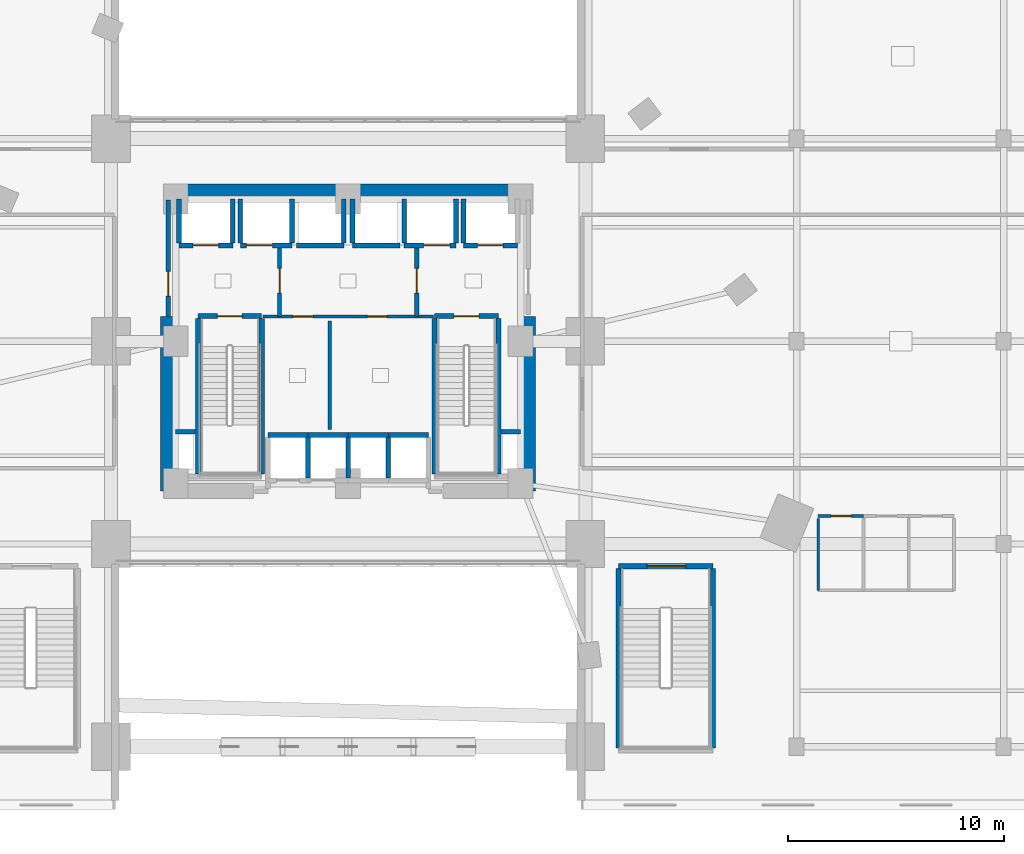
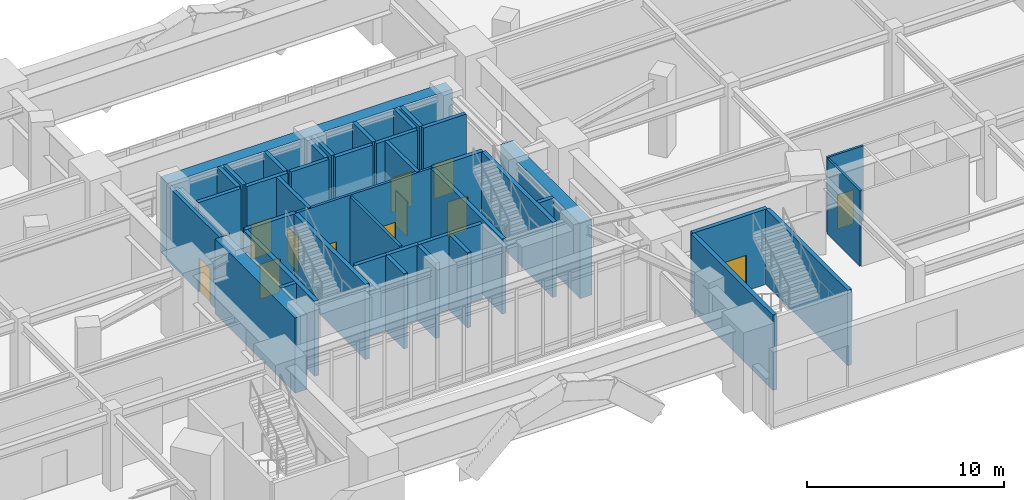
# One storey, part 20 of 25: 43 walls, 13 doors, 13 openings.
"""IFC4 building model written with IfcOpenShell, lengths in metres."""

from ifc_helpers import new_model, si_unit, direction, frame, frame_2d, origin, place, context, subcontext, project, spatial, rectangle, extrude, material, layer, layer_set, type_object, element, fill, save


model = new_model("IFC4")

# Units and contexts
model_context = context("Model", 3, precision=1e-05, world=origin(), true_north=direction((0.0, 1.0)))
body_context = subcontext(model_context, "Body", "Model", "MODEL_VIEW")
ifc_project = project(units=[si_unit("LENGTHUNIT", "METRE"), si_unit("AREAUNIT", "SQUARE_METRE"), si_unit("VOLUMEUNIT", "CUBIC_METRE"), si_unit("PLANEANGLEUNIT", "RADIAN"), si_unit("MASSUNIT", "GRAM", prefix="KILO")], contexts=[model_context])

# Site, building, storey
site_placement = place(None, origin())
site = spatial("IfcSite", under=ifc_project, at=site_placement, CompositionType="ELEMENT")
building_placement = place(site_placement, origin())
building = spatial("IfcBuilding", under=site, at=building_placement, Name="Ndelora Gate Hotel", CompositionType="ELEMENT")
storey_placement = place(building_placement, frame((0.0, 0.0, 11.0)))
storey = spatial("IfcBuildingStorey", under=building, at=storey_placement, Name="L02", CompositionType="ELEMENT", Elevation=11.0)

# Walls
ifc_material_1 = material(Name="Concrete C60/75", Category="concrete")
ifc_layer_1 = layer(ifc_material_1, 0.699951171875)
ifc_layer_set_1 = layer_set([ifc_layer_1], Name="Concrete C60/75")
wall_type_1 = type_object("IfcWallType", Name="WL-CORE-700", PredefinedType="SHEAR", material=ifc_layer_set_1)
wall_1_placement = place(storey_placement, frame((-8.35009765625, 6.949951171875, 0.0), z_axis=(0.0, 0.0, 1.0), x_axis=(1.0, 0.0, 0.0)))
element("IfcWall", 1, at=wall_1_placement, inside=storey, type_object=wall_type_1, Name="L02 Core Shear Wall N", PredefinedType="SHEAR", context=body_context, shape_type="SweptSolid", body=[
    extrude(rectangle(XDim=16.7001953125, YDim=0.699951171875, at=frame_2d((8.35009765625, 0.0))), origin(), (0.0, 0.0, 1.0), 4.659912109375),
])
for number, where, z_axis, x_axis, name in (
    (2, (-8.35009765625, -6.949951171875, 0.0), (0.0, 0.0, 1.0), (0.0, 1.0, 0.0), "L02 Core Shear Wall W"),
    (3, (8.35009765625, -6.949951171875, 0.0), (0.0, 0.0, 1.0), (0.0, 1.0, 0.0), "L02 Core Shear Wall E"),
):
    element("IfcWall", number, at=place(storey_placement, frame(where, z_axis=z_axis, x_axis=x_axis)), inside=storey, type_object=wall_type_1, Name=name, PredefinedType="SHEAR", context=body_context, shape_type="SweptSolid", body=[
        extrude(rectangle(XDim=8.099853515625, YDim=0.699951171875, at=frame_2d((4.0498046875, 0.0))), origin(), (0.0, 0.0, 1.0), 4.659912109375),
    ])

# Wall, opening, door
ifc_material_2 = material(Name="Concrete C40/50", Category="concrete")
ifc_layer_2 = layer(ifc_material_2, 0.199951171875)
ifc_layer_set_2 = layer_set([ifc_layer_2], Name="Concrete C40/50")
wall_type_2 = type_object("IfcWallType", Name="WL-FIRE-200", PredefinedType="PARTITIONING", material=ifc_layer_set_2)
wall_2_placement = place(storey_placement, frame((-3.179931640625, 1.14990234375, 0.0), z_axis=(0.0, 0.0, 1.0), x_axis=(0.0, 1.0, 0.0)))
wall_2 = element("IfcWall", 4, at=wall_2_placement, inside=storey, type_object=wall_type_2, Name="L02 Interior Wall IW-2", PredefinedType="PARTITIONING", context=body_context, shape_type="SweptSolid", body=[
    extrude(rectangle(XDim=3.300048828125, YDim=0.199951171875, at=frame_2d((1.64990234375, 0.0))), origin(), (0.0, 0.0, 1.0), 4.659912109375),
])
opening_1_placement = place(wall_2_placement, frame((1.080078125, 0.0, 0.0)))
opening_1 = element("IfcOpeningElement", 5, at=opening_1_placement, cuts=wall_2, Name="Opening FD1", PredefinedType="OPENING", context=body_context, shape_type="SweptSolid", body=[
    extrude(rectangle(XDim=1.14990234375, YDim=2.14990234375, at=frame_2d((0.574951171875, 1.074951171875))), frame((0.0, 0.10986328125, 0.0), z_axis=(0.0, -1.0, 0.0), x_axis=(1.0, 0.0, 0.0)), (0.0, 0.0, 1.0), 0.219970703125),
])
ifc_material_3 = material(Name="Fire-Rated Timber-Veneer Steel Core", Category="steel")
door_type_1 = type_object("IfcDoorType", Name="DR-FD60", OperationType="SINGLE_SWING_LEFT", PredefinedType="DOOR", material=ifc_material_3)
door_1_placement = place(opening_1_placement, origin())
door_1 = element("IfcDoor", 6, at=door_1_placement, inside=storey, type_object=door_type_1, Name="L02 Firefighting Lobby West Door", OperationType="SINGLE_SWING_RIGHT", OverallHeight=2.14990234375, OverallWidth=1.14990234375, PredefinedType="DOOR", context=body_context, shape_type="SweptSolid", body=[
    extrude(rectangle(XDim=1.14990234375, YDim=2.14990234375, at=frame_2d((0.574951171875, 1.074951171875))), frame((0.0, 0.02490234375, 0.0), z_axis=(0.0, -1.0, 0.0), x_axis=(1.0, 0.0, 0.0)), (0.0, 0.0, 1.0), 0.050048828125),
])
fill(opening_1, door_1)

wall_3_placement = place(storey_placement, frame((3.179931640625, 1.14990234375, 0.0), z_axis=(0.0, 0.0, 1.0), x_axis=(0.0, 1.0, 0.0)))
wall_3 = element("IfcWall", 7, at=wall_3_placement, inside=storey, type_object=wall_type_2, Name="L02 Interior Wall IW-2", PredefinedType="PARTITIONING", context=body_context, shape_type="SweptSolid", body=[
    extrude(rectangle(XDim=3.300048828125, YDim=0.199951171875, at=frame_2d((1.64990234375, 0.0))), origin(), (0.0, 0.0, 1.0), 4.659912109375),
])
opening_2_placement = place(wall_3_placement, frame((1.080078125, 0.0, 0.0)))
opening_2 = element("IfcOpeningElement", 8, at=opening_2_placement, cuts=wall_3, Name="Opening FD1", PredefinedType="OPENING", context=body_context, shape_type="SweptSolid", body=[
    extrude(rectangle(XDim=1.14990234375, YDim=2.14990234375, at=frame_2d((0.574951171875, 1.074951171875))), frame((0.0, 0.10986328125, 0.0), z_axis=(0.0, -1.0, 0.0), x_axis=(1.0, 0.0, 0.0)), (0.0, 0.0, 1.0), 0.219970703125),
])
door_2_placement = place(opening_2_placement, origin())
door_2 = element("IfcDoor", 9, at=door_2_placement, inside=storey, type_object=door_type_1, Name="L02 Firefighting Lobby East Door", OperationType="SINGLE_SWING_LEFT", OverallHeight=2.14990234375, OverallWidth=1.14990234375, PredefinedType="DOOR", context=body_context, shape_type="SweptSolid", body=[
    extrude(rectangle(XDim=1.14990234375, YDim=2.14990234375, at=frame_2d((0.574951171875, 1.074951171875))), frame((0.0, 0.02490234375, 0.0), z_axis=(0.0, -1.0, 0.0), x_axis=(1.0, 0.0, 0.0)), (0.0, 0.0, 1.0), 0.050048828125),
])
fill(opening_2, door_2)

wall_4_placement = place(storey_placement, frame((-8.35009765625, 1.14990234375, 0.0), z_axis=(0.0, 0.0, 1.0), x_axis=(0.0, 1.0, 0.0)))
wall_4 = element("IfcWall", 10, at=wall_4_placement, inside=storey, type_object=wall_type_2, Name="L02 Interior Wall IW-2", PredefinedType="PARTITIONING", context=body_context, shape_type="SweptSolid", body=[
    extrude(rectangle(XDim=5.400146484375, YDim=0.199951171875, at=frame_2d((2.7001953125, 0.0))), origin(), (0.0, 0.0, 1.0), 4.659912109375),
])
opening_3_placement = place(wall_4_placement, frame((0.949951171875, 0.0, 0.0)))
opening_3 = element("IfcOpeningElement", 11, at=opening_3_placement, cuts=wall_4, Name="Opening FD1", PredefinedType="OPENING", context=body_context, shape_type="SweptSolid", body=[
    extrude(rectangle(XDim=1.14990234375, YDim=2.14990234375, at=frame_2d((0.574951171875, 1.074951171875))), frame((0.0, 0.10986328125, 0.0), z_axis=(0.0, -1.0, 0.0), x_axis=(1.0, 0.0, 0.0)), (0.0, 0.0, 1.0), 0.219970703125),
])
door_3_placement = place(opening_3_placement, origin())
door_3 = element("IfcDoor", 12, at=door_3_placement, inside=storey, type_object=door_type_1, Name="L02 Firefighting Lobby West Corridor Door", OperationType="SINGLE_SWING_LEFT", OverallHeight=2.14990234375, OverallWidth=1.14990234375, PredefinedType="DOOR", context=body_context, shape_type="SweptSolid", body=[
    extrude(rectangle(XDim=1.14990234375, YDim=2.14990234375, at=frame_2d((0.574951171875, 1.074951171875))), frame((0.0, 0.02490234375, 0.0), z_axis=(0.0, -1.0, 0.0), x_axis=(1.0, 0.0, 0.0)), (0.0, 0.0, 1.0), 0.050048828125),
])
fill(opening_3, door_3)

# Wall, openings, doors
ifc_material_4 = material(Name="Fire-Rated Gypsum Stud Partition", Category="gypsum")
ifc_layer_3 = layer(ifc_material_4, 0.14990234375)
ifc_layer_set_3 = layer_set([ifc_layer_3], Name="Fire-Rated Gypsum Stud Partition")
wall_type_3 = type_object("IfcWallType", Name="WL-PART-150", PredefinedType="PARTITIONING", material=ifc_layer_set_3)
wall_5_placement = place(storey_placement, frame((3.949951171875, 1.14990234375, 0.0), z_axis=(0.0, 0.0, 1.0), x_axis=(-1.0, 0.0, 0.0)))
wall_5 = element("IfcWall", 13, at=wall_5_placement, inside=storey, type_object=wall_type_3, Name="L02 Interior Wall IW-5", PredefinedType="PARTITIONING", context=body_context, shape_type="SweptSolid", body=[
    extrude(rectangle(XDim=7.89990234375, YDim=0.14990234375, at=frame_2d((3.949951171875, 0.0))), origin(), (0.0, 0.0, 1.0), 4.659912109375),
])
opening_4_placement = place(wall_5_placement, frame((5.590087890625, 0.0, 0.0)))
opening_4 = element("IfcOpeningElement", 14, at=opening_4_placement, cuts=wall_5, Name="Opening D04", PredefinedType="OPENING", context=body_context, shape_type="SweptSolid", body=[
    extrude(rectangle(XDim=0.919921875, YDim=2.050048828125, at=frame_2d((0.4599609375, 1.02490234375))), frame((0.0, 0.0849609375, 0.0), z_axis=(0.0, -1.0, 0.0), x_axis=(1.0, 0.0, 0.0)), (0.0, 0.0, 1.0), 0.169921875),
])
opening_5_placement = place(wall_5_placement, frame((2.139892578125, 0.0, 0.0)))
opening_5 = element("IfcOpeningElement", 15, at=opening_5_placement, cuts=wall_5, Name="Opening D04", PredefinedType="OPENING", context=body_context, shape_type="SweptSolid", body=[
    extrude(rectangle(XDim=0.919921875, YDim=2.050048828125, at=frame_2d((0.4599609375, 1.02490234375))), frame((0.0, 0.0849609375, 0.0), z_axis=(0.0, -1.0, 0.0), x_axis=(1.0, 0.0, 0.0)), (0.0, 0.0, 1.0), 0.169921875),
])
ifc_material_5 = material(Name="Painted Steel Core Service Door", Category="steel")
door_type_2 = type_object("IfcDoorType", Name="DR-SER-920", OperationType="SINGLE_SWING_LEFT", PredefinedType="DOOR", material=ifc_material_5)
door_4_placement = place(opening_4_placement, origin())
door_4 = element("IfcDoor", 16, at=door_4_placement, inside=storey, type_object=door_type_2, Name="L02 Core Electrical Switchroom Door", OperationType="SINGLE_SWING_LEFT", OverallHeight=2.050048828125, OverallWidth=0.919921875, PredefinedType="DOOR", context=body_context, shape_type="SweptSolid", body=[
    extrude(rectangle(XDim=0.919921875, YDim=2.050048828125, at=frame_2d((0.4599609375, 1.02490234375))), frame((0.0, 0.02490234375, 0.0), z_axis=(0.0, -1.0, 0.0), x_axis=(1.0, 0.0, 0.0)), (0.0, 0.0, 1.0), 0.050048828125),
])
fill(opening_4, door_4)
door_5_placement = place(opening_5_placement, origin())
door_5 = element("IfcDoor", 17, at=door_5_placement, inside=storey, type_object=door_type_2, Name="L02 Central Linen Equipment Store Door", OperationType="SINGLE_SWING_RIGHT", OverallHeight=2.050048828125, OverallWidth=0.919921875, PredefinedType="DOOR", context=body_context, shape_type="SweptSolid", body=[
    extrude(rectangle(XDim=0.919921875, YDim=2.050048828125, at=frame_2d((0.4599609375, 1.02490234375))), frame((0.0, 0.02490234375, 0.0), z_axis=(0.0, -1.0, 0.0), x_axis=(1.0, 0.0, 0.0)), (0.0, 0.0, 1.0), 0.050048828125),
])
fill(opening_5, door_5)

# Walls
wall_6_placement = place(storey_placement, frame((-0.85009765625, -4.080078125, 0.0), z_axis=(0.0, 0.0, 1.0), x_axis=(0.0, 1.0, 0.0)))
element("IfcWall", 18, at=wall_6_placement, inside=storey, type_object=wall_type_3, Name="L02 Interior Wall IW-5", PredefinedType="PARTITIONING", context=body_context, shape_type="SweptSolid", body=[
    extrude(rectangle(XDim=5.030029296875, YDim=0.14990234375, at=frame_2d((2.51513671875, 0.0))), origin(), (0.0, 0.0, 1.0), 4.659912109375),
])
ifc_layer_4 = layer(ifc_material_2, 0.219970703125)
ifc_layer_set_4 = layer_set([ifc_layer_4], Name="Concrete C40/50")
wall_type_4 = type_object("IfcWallType", Name="WL-SHAFT-220", PredefinedType="PARTITIONING", material=ifc_layer_set_4)
for number, where, z_axis, x_axis, name in (
    (19, (-8.0, -4.199951171875, 0.0), (0.0, 0.0, 1.0), (1.0, 0.0, 0.0), "L02 Interior Wall IW-1"),
    (20, (7.090087890625, -4.199951171875, 0.0), (0.0, 0.0, 1.0), (1.0, 0.0, 0.0), "L02 Interior Wall IW-1"),
):
    element("IfcWall", number, at=place(storey_placement, frame(where, z_axis=z_axis, x_axis=x_axis)), inside=storey, type_object=wall_type_4, Name=name, PredefinedType="PARTITIONING", context=body_context, shape_type="SweptSolid", body=[
        extrude(rectangle(XDim=0.909912109375, YDim=0.219970703125, at=frame_2d((0.455078125, 0.0))), origin(), (0.0, 0.0, 1.0), 4.659912109375),
    ])

# Wall, opening, door
wall_7_placement = place(storey_placement, frame((-7.85009765625, 4.449951171875, 0.0), z_axis=(0.0, 0.0, 1.0), x_axis=(1.0, 0.0, 0.0)))
wall_7 = element("IfcWall", 21, at=wall_7_placement, inside=storey, type_object=wall_type_4, Name="L02 Interior Wall IW-1", PredefinedType="PARTITIONING", context=body_context, shape_type="SweptSolid", body=[
    extrude(rectangle(XDim=2.5, YDim=0.219970703125, at=frame_2d((1.25, 0.0))), origin(), (0.0, 0.0, 1.0), 4.659912109375),
])
opening_6_placement = place(wall_7_placement, frame((0.659912109375, 0.0, 0.0)))
opening_6 = element("IfcOpeningElement", 22, at=opening_6_placement, cuts=wall_7, Name="Opening LD5", PredefinedType="OPENING", context=body_context, shape_type="SweptSolid", body=[
    extrude(rectangle(XDim=1.179931640625, YDim=2.14990234375, at=frame_2d((0.58984375, 1.074951171875))), frame((0.0, 0.1201171875, 0.0), z_axis=(0.0, -1.0, 0.0), x_axis=(1.0, 0.0, 0.0)), (0.0, 0.0, 1.0), 0.239990234375),
])
ifc_material_6 = material(Name="Firefighting Lift Stainless Sliding Landing Door", Category="metal")
door_type_3 = type_object("IfcDoorType", Name="DR-LD5", OperationType="DOUBLE_DOOR_SLIDING", PredefinedType="DOOR", material=ifc_material_6)
door_6_placement = place(opening_6_placement, origin())
door_6 = element("IfcDoor", 23, at=door_6_placement, inside=storey, type_object=door_type_3, Name="L02 Lift Landing Sliding Door FFL1", OperationType="DOUBLE_DOOR_SLIDING", OverallHeight=2.14990234375, OverallWidth=1.179931640625, PredefinedType="DOOR", context=body_context, shape_type="SweptSolid", body=[
    extrude(rectangle(XDim=1.179931640625, YDim=2.14990234375, at=frame_2d((0.58984375, 1.074951171875))), frame((0.0, 0.02490234375, 0.0), z_axis=(0.0, -1.0, 0.0), x_axis=(1.0, 0.0, 0.0)), (0.0, 0.0, 1.0), 0.050048828125),
])
fill(opening_6, door_6)

# Walls
wall_8_placement = place(storey_placement, frame((-7.85009765625, 4.570068359375, 0.0), z_axis=(0.0, 0.0, 1.0), x_axis=(0.0, 1.0, 0.0)))
element("IfcWall", 24, at=wall_8_placement, inside=storey, type_object=wall_type_4, Name="L02 Interior Wall IW-1", PredefinedType="PARTITIONING", context=body_context, shape_type="SweptSolid", body=[
    extrude(rectangle(XDim=2.030029296875, YDim=0.219970703125, at=frame_2d((1.01513671875, 0.0))), origin(), (0.0, 0.0, 1.0), 4.239990234375),
])
wall_9_placement = place(storey_placement, frame((-5.35009765625, 4.570068359375, 0.0), z_axis=(0.0, 0.0, 1.0), x_axis=(0.0, 1.0, 0.0)))
element("IfcWall", 25, at=wall_9_placement, inside=storey, type_object=wall_type_4, Name="L02 Interior Wall IW-1", PredefinedType="PARTITIONING", context=body_context, shape_type="SweptSolid", body=[
    extrude(rectangle(XDim=2.030029296875, YDim=0.219970703125, at=frame_2d((1.01513671875, 0.0))), origin(), (0.0, 0.0, 1.0), 4.659912109375),
])

# Wall, opening, door
wall_10_placement = place(storey_placement, frame((5.35009765625, 4.449951171875, 0.0), z_axis=(0.0, 0.0, 1.0), x_axis=(1.0, 0.0, 0.0)))
wall_10 = element("IfcWall", 26, at=wall_10_placement, inside=storey, type_object=wall_type_4, Name="L02 Interior Wall IW-1", PredefinedType="PARTITIONING", context=body_context, shape_type="SweptSolid", body=[
    extrude(rectangle(XDim=2.5, YDim=0.219970703125, at=frame_2d((1.25, 0.0))), origin(), (0.0, 0.0, 1.0), 4.659912109375),
])
opening_7_placement = place(wall_10_placement, frame((0.659912109375, 0.0, 0.0)))
opening_7 = element("IfcOpeningElement", 27, at=opening_7_placement, cuts=wall_10, Name="Opening LD5", PredefinedType="OPENING", context=body_context, shape_type="SweptSolid", body=[
    extrude(rectangle(XDim=1.179931640625, YDim=2.14990234375, at=frame_2d((0.58984375, 1.074951171875))), frame((0.0, 0.1201171875, 0.0), z_axis=(0.0, -1.0, 0.0), x_axis=(1.0, 0.0, 0.0)), (0.0, 0.0, 1.0), 0.239990234375),
])
door_7_placement = place(opening_7_placement, origin())
door_7 = element("IfcDoor", 28, at=door_7_placement, inside=storey, type_object=door_type_3, Name="L02 Lift Landing Sliding Door FFL2", OperationType="DOUBLE_DOOR_SLIDING", OverallHeight=2.14990234375, OverallWidth=1.179931640625, PredefinedType="DOOR", context=body_context, shape_type="SweptSolid", body=[
    extrude(rectangle(XDim=1.179931640625, YDim=2.14990234375, at=frame_2d((0.58984375, 1.074951171875))), frame((0.0, 0.02490234375, 0.0), z_axis=(0.0, -1.0, 0.0), x_axis=(1.0, 0.0, 0.0)), (0.0, 0.0, 1.0), 0.050048828125),
])
fill(opening_7, door_7)

# Wall
wall_11_placement = place(storey_placement, frame((5.35009765625, 4.570068359375, 0.0), z_axis=(0.0, 0.0, 1.0), x_axis=(0.0, 1.0, 0.0)))
element("IfcWall", 29, at=wall_11_placement, inside=storey, type_object=wall_type_4, Name="L02 Interior Wall IW-1", PredefinedType="PARTITIONING", context=body_context, shape_type="SweptSolid", body=[
    extrude(rectangle(XDim=2.030029296875, YDim=0.219970703125, at=frame_2d((1.01513671875, 0.0))), origin(), (0.0, 0.0, 1.0), 4.659912109375),
])

# Wall, opening, door
wall_12_placement = place(storey_placement, frame((-5.0, 4.449951171875, 0.0), z_axis=(0.0, 0.0, 1.0), x_axis=(1.0, 0.0, 0.0)))
wall_12 = element("IfcWall", 30, at=wall_12_placement, inside=storey, type_object=wall_type_4, Name="L02 Interior Wall IW-1", PredefinedType="PARTITIONING", context=body_context, shape_type="SweptSolid", body=[
    extrude(rectangle(XDim=2.39990234375, YDim=0.219970703125, at=frame_2d((1.199951171875, 0.0))), origin(), (0.0, 0.0, 1.0), 4.659912109375),
])
opening_8_placement = place(wall_12_placement, frame((0.280029296875, 0.0, 0.0)))
opening_8 = element("IfcOpeningElement", 31, at=opening_8_placement, cuts=wall_12, Name="Opening LD6", PredefinedType="OPENING", context=body_context, shape_type="SweptSolid", body=[
    extrude(rectangle(XDim=1.219970703125, YDim=2.14990234375, at=frame_2d((0.60986328125, 1.074951171875))), frame((0.0, 0.1201171875, 0.0), z_axis=(0.0, -1.0, 0.0), x_axis=(1.0, 0.0, 0.0)), (0.0, 0.0, 1.0), 0.239990234375),
])
ifc_material_7 = material(Name="Heavy-Duty Service Lift Sliding Landing Door", Category="wood")
door_type_4 = type_object("IfcDoorType", Name="DR-LD6", OperationType="DOUBLE_DOOR_SLIDING", PredefinedType="DOOR", material=ifc_material_7)
door_8_placement = place(opening_8_placement, origin())
door_8 = element("IfcDoor", 32, at=door_8_placement, inside=storey, type_object=door_type_4, Name="L02 Lift Landing Sliding Door SVL1", OperationType="DOUBLE_DOOR_SLIDING", OverallHeight=2.14990234375, OverallWidth=1.219970703125, PredefinedType="DOOR", context=body_context, shape_type="SweptSolid", body=[
    extrude(rectangle(XDim=1.219970703125, YDim=2.14990234375, at=frame_2d((0.60986328125, 1.074951171875))), frame((0.0, 0.02490234375, 0.0), z_axis=(0.0, -1.0, 0.0), x_axis=(1.0, 0.0, 0.0)), (0.0, 0.0, 1.0), 0.050048828125),
])
fill(opening_8, door_8)

# Walls
for number, where, z_axis, x_axis, name in (
    (33, (-5.0, 4.570068359375, 0.0), (0.0, 0.0, 1.0), (0.0, 1.0, 0.0), "L02 Interior Wall IW-1"),
    (34, (-2.60009765625, 4.570068359375, 0.0), (0.0, 0.0, 1.0), (0.0, 1.0, 0.0), "L02 Interior Wall IW-1"),
):
    element("IfcWall", number, at=place(storey_placement, frame(where, z_axis=z_axis, x_axis=x_axis)), inside=storey, type_object=wall_type_4, Name=name, PredefinedType="PARTITIONING", context=body_context, shape_type="SweptSolid", body=[
        extrude(rectangle(XDim=2.030029296875, YDim=0.219970703125, at=frame_2d((1.01513671875, 0.0))), origin(), (0.0, 0.0, 1.0), 4.659912109375),
    ])

# Wall, opening, door
wall_13_placement = place(storey_placement, frame((2.60009765625, 4.449951171875, 0.0), z_axis=(0.0, 0.0, 1.0), x_axis=(1.0, 0.0, 0.0)))
wall_13 = element("IfcWall", 35, at=wall_13_placement, inside=storey, type_object=wall_type_4, Name="L02 Interior Wall IW-1", PredefinedType="PARTITIONING", context=body_context, shape_type="SweptSolid", body=[
    extrude(rectangle(XDim=2.39990234375, YDim=0.219970703125, at=frame_2d((1.199951171875, 0.0))), origin(), (0.0, 0.0, 1.0), 4.659912109375),
])
opening_9_placement = place(wall_13_placement, frame((0.89990234375, 0.0, 0.0)))
opening_9 = element("IfcOpeningElement", 36, at=opening_9_placement, cuts=wall_13, Name="Opening LD6", PredefinedType="OPENING", context=body_context, shape_type="SweptSolid", body=[
    extrude(rectangle(XDim=1.219970703125, YDim=2.14990234375, at=frame_2d((0.60986328125, 1.074951171875))), frame((0.0, 0.1201171875, 0.0), z_axis=(0.0, -1.0, 0.0), x_axis=(1.0, 0.0, 0.0)), (0.0, 0.0, 1.0), 0.239990234375),
])
door_9_placement = place(opening_9_placement, origin())
door_9 = element("IfcDoor", 37, at=door_9_placement, inside=storey, type_object=door_type_4, Name="L02 Lift Landing Sliding Door SVL2", OperationType="DOUBLE_DOOR_SLIDING", OverallHeight=2.14990234375, OverallWidth=1.219970703125, PredefinedType="DOOR", context=body_context, shape_type="SweptSolid", body=[
    extrude(rectangle(XDim=1.219970703125, YDim=2.14990234375, at=frame_2d((0.60986328125, 1.074951171875))), frame((0.0, 0.02490234375, 0.0), z_axis=(0.0, -1.0, 0.0), x_axis=(1.0, 0.0, 0.0)), (0.0, 0.0, 1.0), 0.050048828125),
])
fill(opening_9, door_9)

# Walls
for number, where, z_axis, x_axis, name in (
    (38, (2.60009765625, 4.570068359375, 0.0), (0.0, 0.0, 1.0), (0.0, 1.0, 0.0), "L02 Interior Wall IW-1"),
    (39, (5.0, 4.570068359375, 0.0), (0.0, 0.0, 1.0), (0.0, 1.0, 0.0), "L02 Interior Wall IW-1"),
):
    element("IfcWall", number, at=place(storey_placement, frame(where, z_axis=z_axis, x_axis=x_axis)), inside=storey, type_object=wall_type_4, Name=name, PredefinedType="PARTITIONING", context=body_context, shape_type="SweptSolid", body=[
        extrude(rectangle(XDim=2.030029296875, YDim=0.219970703125, at=frame_2d((1.01513671875, 0.0))), origin(), (0.0, 0.0, 1.0), 4.659912109375),
    ])
wall_14_placement = place(storey_placement, frame((-3.719970703125, -4.35009765625, 0.0), z_axis=(0.0, 0.0, 1.0), x_axis=(1.0, 0.0, 0.0)))
element("IfcWall", 40, at=wall_14_placement, inside=storey, type_object=wall_type_4, Name="L02 Interior Wall IW-1", PredefinedType="PARTITIONING", context=body_context, shape_type="SweptSolid", body=[
    extrude(rectangle(XDim=1.85986328125, YDim=0.219970703125, at=frame_2d((0.929931640625, 0.0))), origin(), (0.0, 0.0, 1.0), 4.659912109375),
])
for number, where, z_axis, x_axis, name in (
    (41, (-1.860107421875, -6.330078125, 0.0), (0.0, 0.0, 1.0), (0.0, 1.0, 0.0), "L02 Interior Wall IW-1"),
    (42, (-1.860107421875, -4.35009765625, 0.0), (0.0, 0.0, 1.0), (1.0, 0.0, 0.0), "L02 Interior Wall IW-1"),
    (43, (0.0, -6.330078125, 0.0), (0.0, 0.0, 1.0), (0.0, 1.0, 0.0), "L02 Interior Wall IW-1"),
    (44, (0.0, -4.35009765625, 0.0), (0.0, 0.0, 1.0), (1.0, 0.0, 0.0), "L02 Interior Wall IW-1"),
    (45, (1.860107421875, -6.330078125, 0.0), (0.0, 0.0, 1.0), (0.0, 1.0, 0.0), "L02 Interior Wall IW-1"),
):
    element("IfcWall", number, at=place(storey_placement, frame(where, z_axis=z_axis, x_axis=x_axis)), inside=storey, type_object=wall_type_4, Name=name, PredefinedType="PARTITIONING", context=body_context, shape_type="SweptSolid", body=[
        extrude(rectangle(XDim=1.860107421875, YDim=0.219970703125, at=frame_2d((0.93017578125, 0.0))), origin(), (0.0, 0.0, 1.0), 4.659912109375),
    ])
wall_15_placement = place(storey_placement, frame((1.860107421875, -4.35009765625, 0.0), z_axis=(0.0, 0.0, 1.0), x_axis=(1.0, 0.0, 0.0)))
element("IfcWall", 46, at=wall_15_placement, inside=storey, type_object=wall_type_4, Name="L02 Interior Wall IW-1", PredefinedType="PARTITIONING", context=body_context, shape_type="SweptSolid", body=[
    extrude(rectangle(XDim=1.85986328125, YDim=0.219970703125, at=frame_2d((0.929931640625, 0.0))), origin(), (0.0, 0.0, 1.0), 4.659912109375),
])
wall_16_placement = place(storey_placement, frame((-2.39990234375, 4.449951171875, 0.0), z_axis=(0.0, 0.0, 1.0), x_axis=(1.0, 0.0, 0.0)))
element("IfcWall", 47, at=wall_16_placement, inside=storey, type_object=wall_type_4, Name="L02 Interior Wall IW-1", PredefinedType="PARTITIONING", context=body_context, shape_type="SweptSolid", body=[
    extrude(rectangle(XDim=2.199951171875, YDim=0.219970703125, at=frame_2d((1.10009765625, 0.0))), origin(), (0.0, 0.0, 1.0), 4.659912109375),
])
wall_17_placement = place(storey_placement, frame((-0.199951171875, 4.570068359375, 0.0), z_axis=(0.0, 0.0, 1.0), x_axis=(0.0, 1.0, 0.0)))
element("IfcWall", 48, at=wall_17_placement, inside=storey, type_object=wall_type_4, Name="L02 Interior Wall IW-1", PredefinedType="PARTITIONING", context=body_context, shape_type="SweptSolid", body=[
    extrude(rectangle(XDim=2.030029296875, YDim=0.219970703125, at=frame_2d((1.01513671875, 0.0))), origin(), (0.0, 0.0, 1.0), 4.659912109375),
])
wall_18_placement = place(storey_placement, frame((0.199951171875, 4.449951171875, 0.0), z_axis=(0.0, 0.0, 1.0), x_axis=(1.0, 0.0, 0.0)))
element("IfcWall", 49, at=wall_18_placement, inside=storey, type_object=wall_type_4, Name="L02 Interior Wall IW-1", PredefinedType="PARTITIONING", context=body_context, shape_type="SweptSolid", body=[
    extrude(rectangle(XDim=2.199951171875, YDim=0.219970703125, at=frame_2d((1.10009765625, 0.0))), origin(), (0.0, 0.0, 1.0), 4.659912109375),
])
wall_19_placement = place(storey_placement, frame((0.199951171875, 4.570068359375, 0.0), z_axis=(0.0, 0.0, 1.0), x_axis=(0.0, 1.0, 0.0)))
element("IfcWall", 50, at=wall_19_placement, inside=storey, type_object=wall_type_4, Name="L02 Interior Wall IW-1", PredefinedType="PARTITIONING", context=body_context, shape_type="SweptSolid", body=[
    extrude(rectangle(XDim=2.030029296875, YDim=0.219970703125, at=frame_2d((1.01513671875, 0.0))), origin(), (0.0, 0.0, 1.0), 4.659912109375),
])
ifc_material_8 = material(Name="Concrete C50/60", Category="concrete")
ifc_layer_5 = layer(ifc_material_8, 0.239990234375)
ifc_layer_set_5 = layer_set([ifc_layer_5], Name="Concrete C50/60")
wall_type_5 = type_object("IfcWallType", Name="WL-STAIR-240", PredefinedType="SHEAR", material=ifc_layer_set_5)
for number, where, z_axis, x_axis, name in (
    (51, (-6.969970703125, -6.159912109375, 0.0), (0.0, 0.0, 1.0), (0.0, 1.0, 0.0), "L02 Stair Core Shear Wall SW-ST"),
    (52, (-4.010009765625, -6.159912109375, 0.0), (0.0, 0.0, 1.0), (0.0, 1.0, 0.0), "L02 Stair Core Shear Wall SW-ST"),
):
    element("IfcWall", number, at=place(storey_placement, frame(where, z_axis=z_axis, x_axis=x_axis)), inside=storey, type_object=wall_type_5, Name=name, PredefinedType="SHEAR", context=body_context, shape_type="SweptSolid", body=[
        extrude(rectangle(XDim=7.219970703125, YDim=0.239990234375, at=frame_2d((3.60986328125, 0.0))), origin(), (0.0, 0.0, 1.0), 4.659912109375),
    ])

# Wall, opening, door
wall_20_placement = place(storey_placement, frame((-6.969970703125, 1.169921875, 0.0), z_axis=(0.0, 0.0, 1.0), x_axis=(1.0, 0.0, 0.0)))
wall_20 = element("IfcWall", 53, at=wall_20_placement, inside=storey, type_object=wall_type_5, Name="L02 Stair Core Shear Wall SW-ST", PredefinedType="SHEAR", context=body_context, shape_type="SweptSolid", body=[
    extrude(rectangle(XDim=2.9599609375, YDim=0.239990234375, at=frame_2d((1.47998046875, 0.0))), origin(), (0.0, 0.0, 1.0), 4.659912109375),
])
opening_10_placement = place(wall_20_placement, frame((0.89990234375, 0.0, 0.0)))
opening_10 = element("IfcOpeningElement", 54, at=opening_10_placement, cuts=wall_20, Name="Opening FD1", PredefinedType="OPENING", context=body_context, shape_type="SweptSolid", body=[
    extrude(rectangle(XDim=1.14990234375, YDim=2.14990234375, at=frame_2d((0.574951171875, 1.074951171875))), frame((0.0, 0.1298828125, 0.0), z_axis=(0.0, -1.0, 0.0), x_axis=(1.0, 0.0, 0.0)), (0.0, 0.0, 1.0), 0.260009765625),
])
door_10_placement = place(opening_10_placement, origin())
door_10 = element("IfcDoor", 55, at=door_10_placement, inside=storey, type_object=door_type_1, Name="L02 Exit Stair ST4 Door", OperationType="SINGLE_SWING_LEFT", OverallHeight=2.14990234375, OverallWidth=1.14990234375, PredefinedType="DOOR", context=body_context, shape_type="SweptSolid", body=[
    extrude(rectangle(XDim=1.14990234375, YDim=2.14990234375, at=frame_2d((0.574951171875, 1.074951171875))), frame((0.0, 0.02490234375, 0.0), z_axis=(0.0, -1.0, 0.0), x_axis=(1.0, 0.0, 0.0)), (0.0, 0.0, 1.0), 0.050048828125),
])
fill(opening_10, door_10)

# Walls
for number, where, z_axis, x_axis, name in (
    (56, (4.010009765625, -6.159912109375, 0.0), (0.0, 0.0, 1.0), (0.0, 1.0, 0.0), "L02 Stair Core Shear Wall SW-ST"),
    (57, (6.969970703125, -6.159912109375, 0.0), (0.0, 0.0, 1.0), (0.0, 1.0, 0.0), "L02 Stair Core Shear Wall SW-ST"),
):
    element("IfcWall", number, at=place(storey_placement, frame(where, z_axis=z_axis, x_axis=x_axis)), inside=storey, type_object=wall_type_5, Name=name, PredefinedType="SHEAR", context=body_context, shape_type="SweptSolid", body=[
        extrude(rectangle(XDim=7.219970703125, YDim=0.239990234375, at=frame_2d((3.60986328125, 0.0))), origin(), (0.0, 0.0, 1.0), 4.659912109375),
    ])

# Wall, opening, door
wall_21_placement = place(storey_placement, frame((4.010009765625, 1.169921875, 0.0), z_axis=(0.0, 0.0, 1.0), x_axis=(1.0, 0.0, 0.0)))
wall_21 = element("IfcWall", 58, at=wall_21_placement, inside=storey, type_object=wall_type_5, Name="L02 Stair Core Shear Wall SW-ST", PredefinedType="SHEAR", context=body_context, shape_type="SweptSolid", body=[
    extrude(rectangle(XDim=2.9599609375, YDim=0.239990234375, at=frame_2d((1.47998046875, 0.0))), origin(), (0.0, 0.0, 1.0), 4.659912109375),
])
opening_11_placement = place(wall_21_placement, frame((0.89990234375, 0.0, 0.0)))
opening_11 = element("IfcOpeningElement", 59, at=opening_11_placement, cuts=wall_21, Name="Opening FD1", PredefinedType="OPENING", context=body_context, shape_type="SweptSolid", body=[
    extrude(rectangle(XDim=1.14990234375, YDim=2.14990234375, at=frame_2d((0.574951171875, 1.074951171875))), frame((0.0, 0.1298828125, 0.0), z_axis=(0.0, -1.0, 0.0), x_axis=(1.0, 0.0, 0.0)), (0.0, 0.0, 1.0), 0.260009765625),
])
door_11_placement = place(opening_11_placement, origin())
door_11 = element("IfcDoor", 60, at=door_11_placement, inside=storey, type_object=door_type_1, Name="L02 Exit Stair ST5 Door", OperationType="SINGLE_SWING_RIGHT", OverallHeight=2.14990234375, OverallWidth=1.14990234375, PredefinedType="DOOR", context=body_context, shape_type="SweptSolid", body=[
    extrude(rectangle(XDim=1.14990234375, YDim=2.14990234375, at=frame_2d((0.574951171875, 1.074951171875))), frame((0.0, 0.02490234375, 0.0), z_axis=(0.0, -1.0, 0.0), x_axis=(1.0, 0.0, 0.0)), (0.0, 0.0, 1.0), 0.050048828125),
])
fill(opening_11, door_11)

# Walls
for number, where, z_axis, x_axis, name in (
    (61, (12.5400390625, -18.860107421875, 0.0), (0.0, 0.0, 1.0), (0.0, 1.0, 0.0), "L02 Stair Core Shear Wall SW-ST"),
    (62, (16.919921875, -18.860107421875, 0.0), (0.0, 0.0, 1.0), (0.0, 1.0, 0.0), "L02 Stair Core Shear Wall SW-ST"),
):
    element("IfcWall", number, at=place(storey_placement, frame(where, z_axis=z_axis, x_axis=x_axis)), inside=storey, type_object=wall_type_5, Name=name, PredefinedType="SHEAR", context=body_context, shape_type="SweptSolid", body=[
        extrude(rectangle(XDim=8.320068359375, YDim=0.239990234375, at=frame_2d((4.16015625, 0.0))), origin(), (0.0, 0.0, 1.0), 4.659912109375),
    ])

# Wall, opening, door
wall_22_placement = place(storey_placement, frame((16.919921875, -10.429931640625, 0.0), z_axis=(0.0, 0.0, 1.0), x_axis=(-1.0, 0.0, 0.0)))
wall_22 = element("IfcWall", 63, at=wall_22_placement, inside=storey, type_object=wall_type_5, Name="L02 Stair Core Shear Wall SW-ST", PredefinedType="SHEAR", context=body_context, shape_type="SweptSolid", body=[
    extrude(rectangle(XDim=4.3798828125, YDim=0.239990234375, at=frame_2d((2.18994140625, 0.0))), origin(), (0.0, 0.0, 1.0), 4.659912109375),
])
opening_12_placement = place(wall_22_placement, frame((1.25, 0.0, 0.0)))
opening_12 = element("IfcOpeningElement", 64, at=opening_12_placement, cuts=wall_22, Name="Opening FD2", PredefinedType="OPENING", context=body_context, shape_type="SweptSolid", body=[
    extrude(rectangle(XDim=1.800048828125, YDim=2.199951171875, at=frame_2d((0.89990234375, 1.10009765625))), frame((0.0, 0.1298828125, 0.0), z_axis=(0.0, -1.0, 0.0), x_axis=(1.0, 0.0, 0.0)), (0.0, 0.0, 1.0), 0.260009765625),
])
ifc_material_9 = material(Name="Fire-Rated Double Exit Door", Category="wood")
door_type_5 = type_object("IfcDoorType", Name="DR-DBL-1800", OperationType="DOUBLE_DOOR_SINGLE_SWING", PredefinedType="DOOR", material=ifc_material_9)
door_12_placement = place(opening_12_placement, origin())
door_12 = element("IfcDoor", 65, at=door_12_placement, inside=storey, type_object=door_type_5, Name="L02 Ballroom Stair ST3B Door", OperationType="DOUBLE_DOOR_SINGLE_SWING", OverallHeight=2.199951171875, OverallWidth=1.800048828125, PredefinedType="DOOR", context=body_context, shape_type="SweptSolid", body=[
    extrude(rectangle(XDim=1.800048828125, YDim=2.199951171875, at=frame_2d((0.89990234375, 1.10009765625))), frame((0.0, 0.02490234375, 0.0), z_axis=(0.0, -1.0, 0.0), x_axis=(1.0, 0.0, 0.0)), (0.0, 0.0, 1.0), 0.050048828125),
])
fill(opening_12, door_12)

ifc_material_10 = material(Name="Moisture-Resistant Fire-Rated Tile Partition", Category="gypsum")
ifc_layer_6 = layer(ifc_material_10, 0.1298828125)
ifc_layer_set_6 = layer_set([ifc_layer_6], Name="Moisture-Resistant Fire-Rated Tile Partition")
wall_type_6 = type_object("IfcWallType", Name="WL-WET-RATED", PredefinedType="PARTITIONING", material=ifc_layer_set_6)
wall_23_placement = place(storey_placement, frame((23.89990234375, -8.10009765625, 0.0), z_axis=(0.0, 0.0, 1.0), x_axis=(-1.0, 0.0, 0.0)))
wall_23 = element("IfcWall", 66, at=wall_23_placement, inside=storey, type_object=wall_type_6, Name="L02 Interior Wall IW-6", PredefinedType="PARTITIONING", context=body_context, shape_type="SweptSolid", body=[
    extrude(rectangle(XDim=2.099853515625, YDim=0.1298828125, at=frame_2d((1.0498046875, 0.0))), origin(), (0.0, 0.0, 1.0), 4.659912109375),
])
opening_13_placement = place(wall_23_placement, frame((0.550048828125, 0.0, 0.0)))
opening_13 = element("IfcOpeningElement", 67, at=opening_13_placement, cuts=wall_23, Name="Opening D05", PredefinedType="OPENING", context=body_context, shape_type="SweptSolid", body=[
    extrude(rectangle(XDim=0.949951171875, YDim=2.10009765625, at=frame_2d((0.47509765625, 1.050048828125))), frame((0.0, 0.074951171875, 0.0), z_axis=(0.0, -1.0, 0.0), x_axis=(1.0, 0.0, 0.0)), (0.0, 0.0, 1.0), 0.14990234375),
])
ifc_material_11 = material(Name="Accessible Restroom Wide-Clearance Door", Category="wood")
door_type_6 = type_object("IfcDoorType", Name="DR-ACC-950", OperationType="SINGLE_SWING_LEFT", PredefinedType="DOOR", material=ifc_material_11)
door_13_placement = place(opening_13_placement, origin())
door_13 = element("IfcDoor", 68, at=door_13_placement, inside=storey, type_object=door_type_6, Name="L02 Male Public Restroom Door", OperationType="SINGLE_SWING_LEFT", OverallHeight=2.10009765625, OverallWidth=0.949951171875, PredefinedType="DOOR", context=body_context, shape_type="SweptSolid", body=[
    extrude(rectangle(XDim=0.949951171875, YDim=2.10009765625, at=frame_2d((0.47509765625, 1.050048828125))), frame((0.0, 0.02490234375, 0.0), z_axis=(0.0, -1.0, 0.0), x_axis=(1.0, 0.0, 0.0)), (0.0, 0.0, 1.0), 0.050048828125),
])
fill(opening_13, door_13)

# Wall
wall_24_placement = place(storey_placement, frame((21.800048828125, -11.550048828125, 0.0), z_axis=(0.0, 0.0, 1.0), x_axis=(0.0, 1.0, 0.0)))
element("IfcWall", 69, at=wall_24_placement, inside=storey, type_object=wall_type_6, Name="L02 Interior Wall IW-6", PredefinedType="PARTITIONING", context=body_context, shape_type="SweptSolid", body=[
    extrude(rectangle(XDim=3.340087890625, YDim=0.1298828125, at=frame_2d((1.669921875, 0.0))), origin(), (0.0, 0.0, 1.0), 4.659912109375),
])

save(model, "model.ifc")
